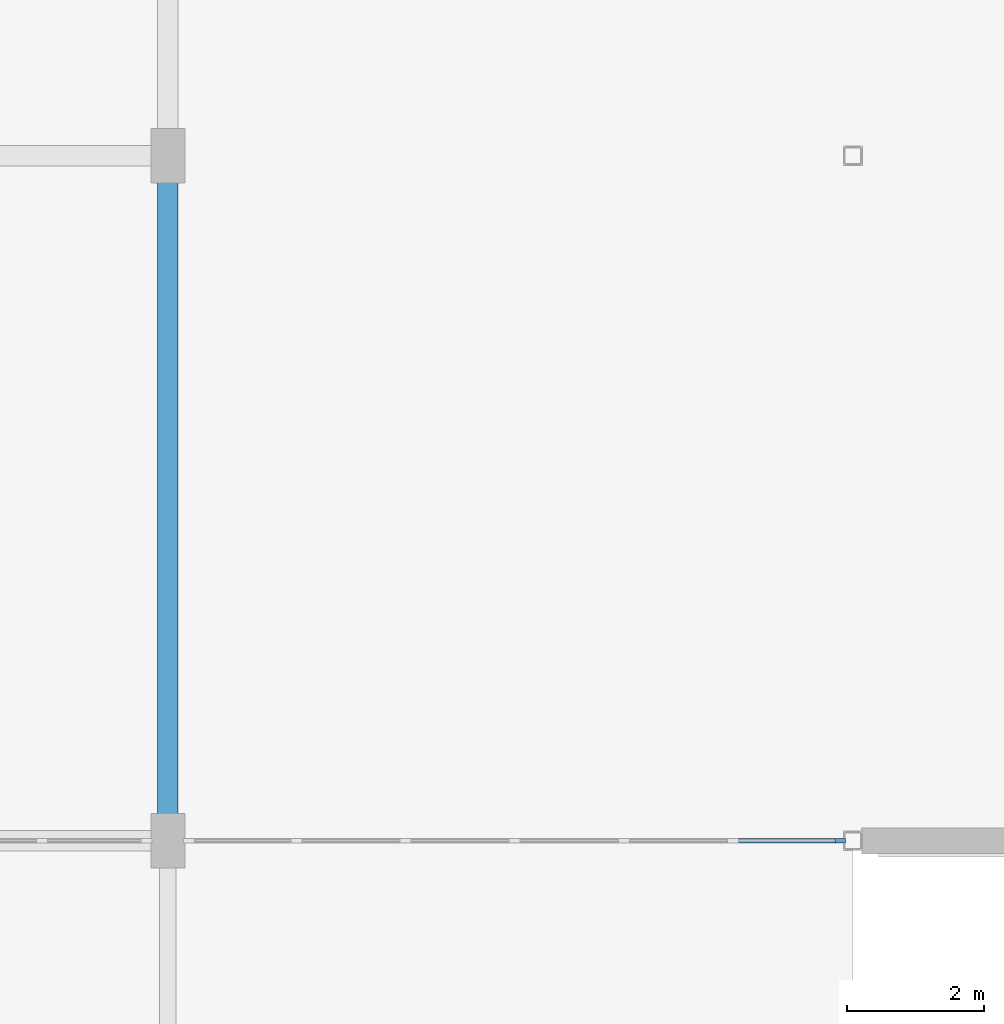
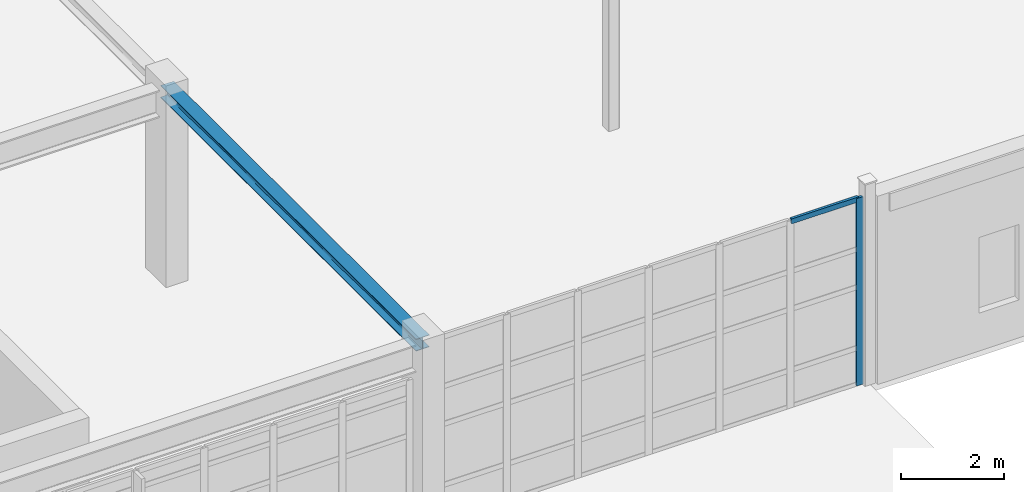
# One storey, part 30 of 139: 2 members, 1 beam, 1 element without a shape of its own.
"""IFC4 building model written with IfcOpenShell, lengths in metres."""

from ifc_helpers import new_model, si_unit, direction, frame, origin, origin_2d, place, context, subcontext, project, spatial, rectangle, i_section, extrude, material, layer, layer_set, material_profile, profile_set, type_object, element, aggregate, save


model = new_model("IFC4")

# Units and contexts
model_context = context("Model", 3, precision=1e-05, world=origin(), true_north=direction((0.0, 1.0)))
body_context = subcontext(model_context, "Body", "Model", "MODEL_VIEW")
ifc_project = project(units=[si_unit("LENGTHUNIT", "METRE"), si_unit("AREAUNIT", "SQUARE_METRE"), si_unit("VOLUMEUNIT", "CUBIC_METRE"), si_unit("PLANEANGLEUNIT", "RADIAN"), si_unit("MASSUNIT", "GRAM", prefix="KILO"), si_unit("THERMODYNAMICTEMPERATUREUNIT", "KELVIN"), si_unit("POWERUNIT", "WATT")], contexts=[model_context])

# Site, building, storey
site_placement = place(None, origin())
site = spatial("IfcSite", under=ifc_project, at=site_placement, CompositionType="ELEMENT")
building_placement = place(site_placement, origin())
building = spatial("IfcBuilding", under=site, at=building_placement, Name="Korenveer Ferry Terminal", CompositionType="ELEMENT")
storey_placement = place(building_placement, frame((0.0, 0.0, 5.39990234375)))
storey = spatial("IfcBuildingStorey", under=building, at=storey_placement, Name="L01", CompositionType="ELEMENT", Elevation=5.39990234375)

# Curtain wall, members
ifc_material_1 = material(Name="Unitised bronze-and-glass curtain wall", Category="glass")
ifc_layer = layer(ifc_material_1, 0.159912109375)
ifc_layer_set = layer_set([ifc_layer], Name="Unitised bronze-and-glass curtain wall")
curtain_wall_type = type_object("IfcCurtainWallType", Name="ENV-CW-39", PredefinedType="USERDEFINED", material=ifc_layer_set)
curtain_wall_placement = place(storey_placement, frame((53.280029296875, 20.0, 0.0)))
curtain_wall = element("IfcCurtainWall", 1, at=curtain_wall_placement, inside=storey, type_object=curtain_wall_type, Name="Lancet curtain wall CWX-L01-X53-63-Y20-20", ObjectType="UNITISED CURTAIN WALL", PredefinedType="USERDEFINED")
ifc_material_2 = material(Name="Anodised bronze aluminium", Category="aluminium")
ifc_material_profile_1 = material_profile(ifc_material_2, rectangle(XDim=0.06005859375, YDim=0.159912109375, at=origin_2d()), Name="ALU 60x160")
ifc_profile_set_1 = profile_set([ifc_material_profile_1], Name="Anodised bronze aluminium")
member_type_1 = type_object("IfcMemberType", Name="ENV-CWM-60X160", PredefinedType="MULLION", material=ifc_profile_set_1)
member_1_placement = place(storey_placement, frame((62.81494140625, 20.0, 0.0), z_axis=(0.0, 0.0, 1.0), x_axis=(0.0, 1.0, 0.0)))
member_1 = element("IfcMember", 2, at=member_1_placement, type_object=member_type_1, Name="CW-39 mullion 7", PredefinedType="MULLION", context=body_context, shape_type="SweptSolid", body=[
    extrude(rectangle(XDim=0.06005859375, YDim=0.159912109375, at=origin_2d()), origin(), (0.0, 0.0, 1.0), 4.460205078125),
])
ifc_material_profile_2 = material_profile(ifc_material_2, rectangle(XDim=0.06005859375, YDim=0.1201171875, at=origin_2d()), Name="ALU 60x120")
ifc_profile_set_2 = profile_set([ifc_material_profile_2], Name="Anodised bronze aluminium")
member_type_2 = type_object("IfcMemberType", Name="ENV-CWT-60X120", PredefinedType="USERDEFINED", material=ifc_profile_set_2)
member_2_placement = place(storey_placement, frame((61.28076171875, 20.0, 4.43017578125), z_axis=(1.0, 0.0, 0.0), x_axis=(0.0, 1.0, 0.0)))
member_2 = element("IfcMember", 3, at=member_2_placement, type_object=member_type_2, Name="CW-39 transom 6.5", ObjectType="TRANSOM", PredefinedType="USERDEFINED", context=body_context, shape_type="SweptSolid", body=[
    extrude(rectangle(XDim=0.06005859375, YDim=0.1201171875, at=origin_2d()), origin(), (0.0, 0.0, 1.0), 1.504150390625),
])
aggregate(curtain_wall, [member_1, member_2])

# Beam
ifc_material_3 = material(Name="Steel S355", Category="steel")
ifc_material_profile_3 = material_profile(ifc_material_3, i_section(OverallWidth=0.300048828125, OverallDepth=0.2900390625, WebThickness=0.008544921875, FlangeThickness=0.013916015625, FilletRadius=0.027099609375, at=origin_2d()), Name="HEA 300")
ifc_profile_set_3 = profile_set([ifc_material_profile_3], Name="Steel S355")
beam_type = type_object("IfcBeamType", Name="STR-BM-HEA300", PredefinedType="BEAM", material=ifc_profile_set_3)
beam_placement = place(storey_placement, frame((53.0, 20.02001953125, 4.405029296875), z_axis=(0.0, 1.0, 0.0), x_axis=(-1.0, 0.0, 0.0)))
element("IfcBeam", 4, at=beam_placement, inside=storey, type_object=beam_type, Name="Primary Y girder BMY-L02-X53-Y20-30", PredefinedType="BEAM", context=body_context, shape_type="SweptSolid", body=[
    extrude(i_section(OverallWidth=0.300048828125, OverallDepth=0.2900390625, WebThickness=0.008544921875, FlangeThickness=0.013916015625, FilletRadius=0.027099609375, at=origin_2d()), origin(), (0.0, 0.0, 1.0), 9.9599609375),
])

save(model, "model.ifc")
